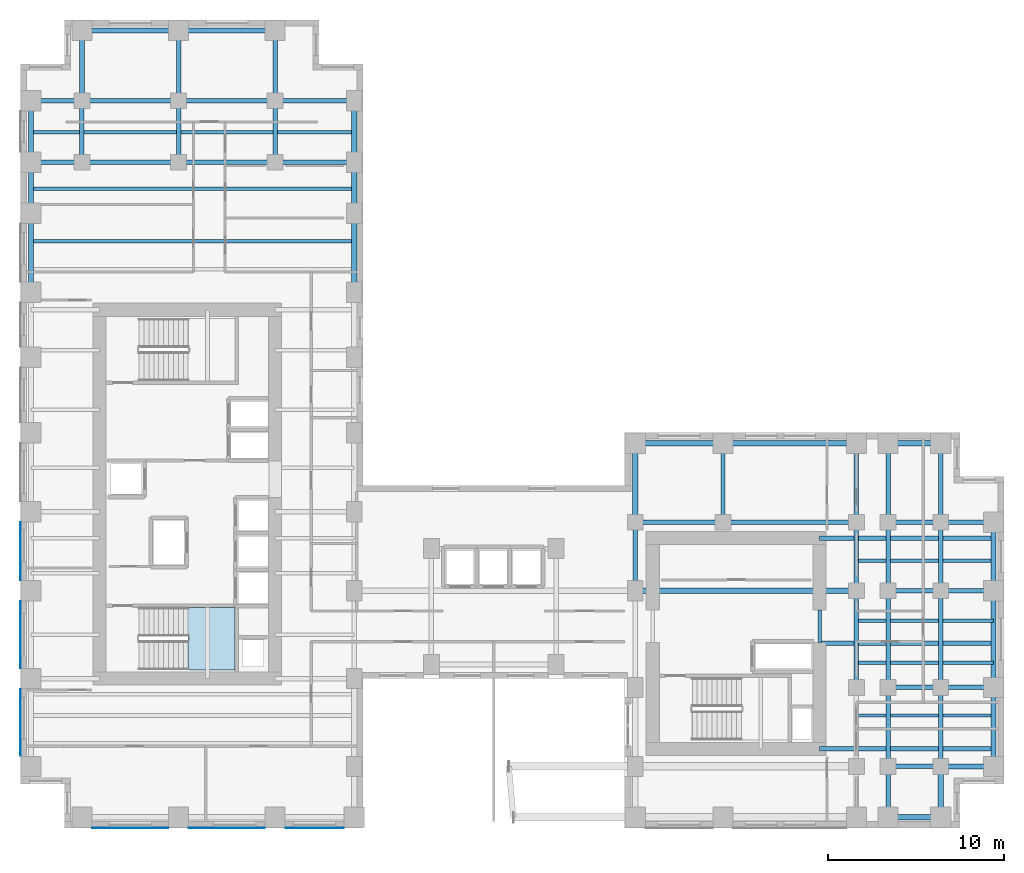
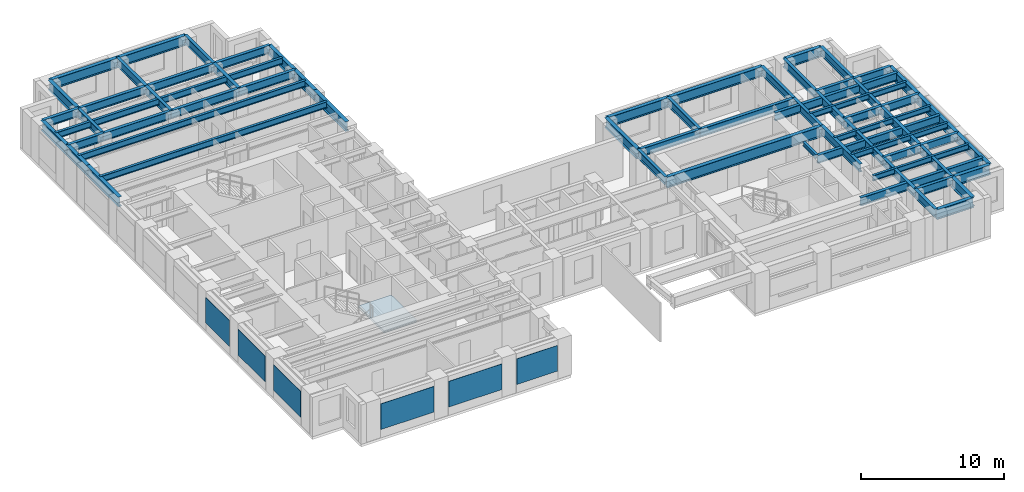
# One storey, part 4 of 14: 67 beams, 6 plates, 1 slab, 1 element without a shape of its own.
"""IFC4 building model written with IfcOpenShell, lengths in metres."""

from ifc_helpers import new_model, si_unit, direction, frame, origin, origin_2d, place, context, subcontext, project, spatial, polyline, rectangle, i_section, outline, extrude, source, transform, mapped, material, layer, layer_set, material_profile, profile_set, type_object, element, aggregate, save


model = new_model("IFC4")

# Units and contexts
model_context = context("Model", 3, precision=1e-05, world=origin(), true_north=direction((0.0, 1.0)))
body_context = subcontext(model_context, "Body", "Model", "MODEL_VIEW")
ifc_project = project(units=[si_unit("LENGTHUNIT", "METRE"), si_unit("AREAUNIT", "SQUARE_METRE"), si_unit("VOLUMEUNIT", "CUBIC_METRE"), si_unit("PLANEANGLEUNIT", "RADIAN"), si_unit("MASSUNIT", "GRAM", prefix="KILO")], contexts=[model_context])

# Site, building, storey
site_placement = place(None, origin())
site = spatial("IfcSite", under=ifc_project, at=site_placement, CompositionType="ELEMENT")
building_placement = place(site_placement, origin())
building = spatial("IfcBuilding", under=site, at=building_placement, Name="Kharzan Plaza Tower", CompositionType="ELEMENT")
storey_placement = place(building_placement, frame((0.0, 0.0, 102.60009765625)))
storey = spatial("IfcBuildingStorey", under=building, at=storey_placement, Name="L27", CompositionType="ELEMENT", Elevation=102.60009765625)

# Beams
ifc_material_1 = material(Name="Steel S355", Category="steel")
ifc_material_profile_1 = material_profile(ifc_material_1, i_section(OverallWidth=0.205078125, OverallDepth=0.35400390625, WebThickness=0.009521484375, FlangeThickness=0.016845703125, at=origin_2d()), Name="W360x79")
ifc_profile_set_1 = profile_set([ifc_material_profile_1], Name="Steel S355")
beam_type_1 = type_object("IfcBeamType", Name="BM-LNT360", PredefinedType="LINTEL", material=ifc_profile_set_1)
shared_shape_1 = source(origin(), body_context, "Body", "SweptSolid", [
    extrude(i_section(OverallWidth=0.205078125, OverallDepth=0.35400390625, WebThickness=0.009521484375, FlangeThickness=0.016845703125, at=origin_2d()), origin(), (0.0, 0.0, 1.0), 1.849853515625),
])
beam_1_placement = place(storey_placement, frame((45.5, 10.550048828125, 3.202880859375), z_axis=(0.0, 1.0, 0.0), x_axis=(-1.0, 0.0, 0.0)))
element("IfcBeam", 1, at=beam_1_placement, inside=storey, type_object=beam_type_1, Name="L27 CORE-B coupling lintel LN1-WE", PredefinedType="LINTEL", context=body_context, shape_type="MappedRepresentation", body=[
    mapped(shared_shape_1, transform((0.0, 0.0, 0.0), x_axis=(1.0, 0.0, 0.0), y_axis=(0.0, 1.0, 0.0), z_axis=(0.0, 0.0, 1.0))),
])
ifc_material_profile_2 = material_profile(ifc_material_1, i_section(OverallWidth=0.304931640625, OverallDepth=0.9189453125, WebThickness=0.017333984375, FlangeThickness=0.02783203125, at=origin_2d()), Name="W920x253")
ifc_profile_set_2 = profile_set([ifc_material_profile_2], Name="Steel S355")
beam_type_2 = type_object("IfcBeamType", Name="BM-FG920B", PredefinedType="BEAM", material=ifc_profile_set_2)
shared_shape_2 = source(origin(), body_context, "Body", "SweptSolid", [
    extrude(i_section(OverallWidth=0.304931640625, OverallDepth=0.9189453125, WebThickness=0.017333984375, FlangeThickness=0.02783203125, at=origin_2d()), origin(), (0.0, 0.0, 1.0), 12.60009765625),
])
beam_2_placement = place(storey_placement, frame((35.0, 13.5, 2.92041015625), z_axis=(1.0, 0.0, 0.0), x_axis=(0.0, 1.0, 0.0)))
element("IfcBeam", 2, at=beam_2_placement, inside=storey, type_object=beam_type_2, Name="L27 Primary Floor Girder", PredefinedType="BEAM", context=body_context, shape_type="MappedRepresentation", body=[
    mapped(shared_shape_2, transform((0.0, 0.0, 0.0), x_axis=(1.0, 0.0, 0.0), y_axis=(0.0, 1.0, 0.0), z_axis=(0.0, 0.0, 1.0))),
])
ifc_material_profile_3 = material_profile(ifc_material_1, i_section(OverallWidth=0.2099609375, OverallDepth=0.537109375, WebThickness=0.010986328125, FlangeThickness=0.017333984375, at=origin_2d()), Name="W530x101")
ifc_profile_set_3 = profile_set([ifc_material_profile_3], Name="Steel S355")
beam_type_3 = type_object("IfcBeamType", Name="BM-JST530B", PredefinedType="JOIST", material=ifc_profile_set_3)
shared_shape_3 = source(origin(), body_context, "Body", "SweptSolid", [
    extrude(i_section(OverallWidth=0.2099609375, OverallDepth=0.537109375, WebThickness=0.010986328125, FlangeThickness=0.017333984375, at=origin_2d()), origin(), (0.0, 0.0, 1.0), 18.39990234375),
])
for number, where, z_axis, x_axis, name in (
    (3, (0.60009765625, 33.39990234375, 3.111328125), (1.0, 0.0, 0.0), (0.0, 1.0, 0.0), "L27 Wing A Composite Joist 05"),
    (4, (0.60009765625, 36.39990234375, 3.111328125), (1.0, 0.0, 0.0), (0.0, 1.0, 0.0), "L27 Wing A Composite Joist 06"),
    (5, (0.60009765625, 39.60009765625, 3.111328125), (1.0, 0.0, 0.0), (0.0, 1.0, 0.0), "L27 Wing A Composite Joist 07"),
):
    element("IfcBeam", number, at=place(storey_placement, frame(where, z_axis=z_axis, x_axis=x_axis)), inside=storey, type_object=beam_type_3, Name=name, PredefinedType="JOIST", context=body_context, shape_type="MappedRepresentation", body=[
        mapped(shared_shape_3, transform((0.0, 0.0, 0.0), x_axis=(1.0, 0.0, 0.0), y_axis=(0.0, 1.0, 0.0), z_axis=(0.0, 0.0, 1.0))),
    ])
ifc_material_profile_4 = material_profile(ifc_material_1, i_section(OverallWidth=0.25390625, OverallDepth=0.68798828125, WebThickness=0.01318359375, FlangeThickness=0.02099609375, at=origin_2d()), Name="W690x152")
ifc_profile_set_4 = profile_set([ifc_material_profile_4], Name="Steel S355")
beam_type_4 = type_object("IfcBeamType", Name="BM-FG690B", PredefinedType="BEAM", material=ifc_profile_set_4)
shared_shape_4 = source(origin(), body_context, "Body", "SweptSolid", [
    extrude(i_section(OverallWidth=0.25390625, OverallDepth=0.68798828125, WebThickness=0.01318359375, FlangeThickness=0.02099609375, at=origin_2d()), origin(), (0.0, 0.0, 1.0), 4.5),
])
for number, where, z_axis, x_axis, name in (
    (6, (40.0, 17.39990234375, 3.035888671875), (0.0, 1.0, 0.0), (-1.0, 0.0, 0.0), "L27 Interior Frame Girder"),
    (7, (47.60009765625, 17.39990234375, 3.035888671875), (0.0, 1.0, 0.0), (-1.0, 0.0, 0.0), "L27 Interior Frame Girder"),
    (8, (49.39990234375, 3.5, 3.035888671875), (0.0, 1.0, 0.0), (-1.0, 0.0, 0.0), "L27 Interior Frame Girder"),
    (9, (49.39990234375, 17.39990234375, 3.035888671875), (0.0, 1.0, 0.0), (-1.0, 0.0, 0.0), "L27 Interior Frame Girder"),
    (10, (52.39990234375, 3.5, 3.035888671875), (0.0, 1.0, 0.0), (-1.0, 0.0, 0.0), "L27 Interior Frame Girder"),
    (11, (52.39990234375, 17.39990234375, 3.035888671875), (0.0, 1.0, 0.0), (-1.0, 0.0, 0.0), "L27 Interior Frame Girder"),
    (12, (14.5, 37.89990234375, 3.035888671875), (1.0, 0.0, 0.0), (0.0, 1.0, 0.0), "L27 Primary Floor Girder"),
    (13, (14.5, 41.39990234375, 3.035888671875), (1.0, 0.0, 0.0), (0.0, 1.0, 0.0), "L27 Primary Floor Girder"),
):
    element("IfcBeam", number, at=place(storey_placement, frame(where, z_axis=z_axis, x_axis=x_axis)), inside=storey, type_object=beam_type_4, Name=name, PredefinedType="BEAM", context=body_context, shape_type="MappedRepresentation", body=[
        mapped(shared_shape_4, transform((0.0, 0.0, 0.0), x_axis=(1.0, 0.0, 0.0), y_axis=(0.0, 1.0, 0.0), z_axis=(0.0, 0.0, 1.0))),
    ])
shared_shape_5 = source(origin(), body_context, "Body", "SweptSolid", [
    extrude(i_section(OverallWidth=0.25390625, OverallDepth=0.68798828125, WebThickness=0.01318359375, FlangeThickness=0.02099609375, at=origin_2d()), origin(), (0.0, 0.0, 1.0), 3.89990234375),
])
for number, where, z_axis, x_axis, name in (
    (14, (35.0, 13.5, 3.035888671875), (0.0, 1.0, 0.0), (-1.0, 0.0, 0.0), "L27 Interior Frame Girder"),
    (15, (47.60009765625, 13.5, 3.035888671875), (0.0, 1.0, 0.0), (-1.0, 0.0, 0.0), "L27 Interior Frame Girder"),
    (16, (49.39990234375, 13.5, 3.035888671875), (0.0, 1.0, 0.0), (-1.0, 0.0, 0.0), "L27 Interior Frame Girder"),
    (17, (52.39990234375, 13.5, 3.035888671875), (0.0, 1.0, 0.0), (-1.0, 0.0, 0.0), "L27 Interior Frame Girder"),
):
    element("IfcBeam", number, at=place(storey_placement, frame(where, z_axis=z_axis, x_axis=x_axis)), inside=storey, type_object=beam_type_4, Name=name, PredefinedType="BEAM", context=body_context, shape_type="MappedRepresentation", body=[
        mapped(shared_shape_5, transform((0.0, 0.0, 0.0), x_axis=(1.0, 0.0, 0.0), y_axis=(0.0, 1.0, 0.0), z_axis=(0.0, 0.0, 1.0))),
    ])
shared_shape_6 = source(origin(), body_context, "Body", "SweptSolid", [
    extrude(i_section(OverallWidth=0.25390625, OverallDepth=0.68798828125, WebThickness=0.01318359375, FlangeThickness=0.02099609375, at=origin_2d()), origin(), (0.0, 0.0, 1.0), 9.89990234375),
])
for number, where, z_axis, x_axis, name in (
    (18, (45.5, 4.5, 3.035888671875), (1.0, 0.0, 0.0), (0.0, 1.0, 0.0), "L27 Core-B East Floor Girder 1"),
    (19, (45.5, 10.5, 3.035888671875), (1.0, 0.0, 0.0), (0.0, 1.0, 0.0), "L27 Core-B East Floor Girder 2"),
    (20, (45.5, 16.5, 3.035888671875), (1.0, 0.0, 0.0), (0.0, 1.0, 0.0), "L27 Core-B East Floor Girder 3"),
):
    element("IfcBeam", number, at=place(storey_placement, frame(where, z_axis=z_axis, x_axis=x_axis)), inside=storey, type_object=beam_type_4, Name=name, PredefinedType="BEAM", context=body_context, shape_type="MappedRepresentation", body=[
        mapped(shared_shape_6, transform((0.0, 0.0, 0.0), x_axis=(1.0, 0.0, 0.0), y_axis=(0.0, 1.0, 0.0), z_axis=(0.0, 0.0, 1.0))),
    ])
shared_shape_7 = source(origin(), body_context, "Body", "SweptSolid", [
    extrude(i_section(OverallWidth=0.25390625, OverallDepth=0.68798828125, WebThickness=0.01318359375, FlangeThickness=0.02099609375, at=origin_2d()), origin(), (0.0, 0.0, 1.0), 3.5),
])
for number, where, z_axis, x_axis, name in (
    (21, (3.5, 37.89990234375, 3.035888671875), (0.0, 1.0, 0.0), (-1.0, 0.0, 0.0), "L27 Interior Frame Girder"),
    (22, (9.0, 37.89990234375, 3.035888671875), (0.0, 1.0, 0.0), (-1.0, 0.0, 0.0), "L27 Interior Frame Girder"),
    (23, (14.5, 37.89990234375, 3.035888671875), (0.0, 1.0, 0.0), (-1.0, 0.0, 0.0), "L27 Interior Frame Girder"),
):
    element("IfcBeam", number, at=place(storey_placement, frame(where, z_axis=z_axis, x_axis=x_axis)), inside=storey, type_object=beam_type_4, Name=name, PredefinedType="BEAM", context=body_context, shape_type="MappedRepresentation", body=[
        mapped(shared_shape_7, transform((0.0, 0.0, 0.0), x_axis=(1.0, 0.0, 0.0), y_axis=(0.0, 1.0, 0.0), z_axis=(0.0, 0.0, 1.0))),
    ])
shared_shape_8 = source(origin(), body_context, "Body", "SweptSolid", [
    extrude(i_section(OverallWidth=0.25390625, OverallDepth=0.68798828125, WebThickness=0.01318359375, FlangeThickness=0.02099609375, at=origin_2d()), origin(), (0.0, 0.0, 1.0), 4.0),
])
for number, where, z_axis, x_axis, name in (
    (24, (9.0, 41.39990234375, 3.035888671875), (0.0, 1.0, 0.0), (-1.0, 0.0, 0.0), "L27 Interior Frame Girder"),
    (25, (14.5, 41.39990234375, 3.035888671875), (0.0, 1.0, 0.0), (-1.0, 0.0, 0.0), "L27 Interior Frame Girder"),
):
    element("IfcBeam", number, at=place(storey_placement, frame(where, z_axis=z_axis, x_axis=x_axis)), inside=storey, type_object=beam_type_4, Name=name, PredefinedType="BEAM", context=body_context, shape_type="MappedRepresentation", body=[
        mapped(shared_shape_8, transform((0.0, 0.0, 0.0), x_axis=(1.0, 0.0, 0.0), y_axis=(0.0, 1.0, 0.0), z_axis=(0.0, 0.0, 1.0))),
    ])
shared_shape_9 = source(origin(), body_context, "Body", "SweptSolid", [
    extrude(i_section(OverallWidth=0.25390625, OverallDepth=0.68798828125, WebThickness=0.01318359375, FlangeThickness=0.02099609375, at=origin_2d()), origin(), (0.0, 0.0, 1.0), 5.0),
])
beam_3_placement = place(storey_placement, frame((35.0, 17.39990234375, 3.035888671875), z_axis=(1.0, 0.0, 0.0), x_axis=(0.0, 1.0, 0.0)))
element("IfcBeam", 26, at=beam_3_placement, inside=storey, type_object=beam_type_4, Name="L27 Primary Floor Girder", PredefinedType="BEAM", context=body_context, shape_type="MappedRepresentation", body=[
    mapped(shared_shape_9, transform((0.0, 0.0, 0.0), x_axis=(1.0, 0.0, 0.0), y_axis=(0.0, 1.0, 0.0), z_axis=(0.0, 0.0, 1.0))),
])
shared_shape_10 = source(origin(), body_context, "Body", "SweptSolid", [
    extrude(i_section(OverallWidth=0.25390625, OverallDepth=0.68798828125, WebThickness=0.01318359375, FlangeThickness=0.02099609375, at=origin_2d()), origin(), (0.0, 0.0, 1.0), 5.5),
])
for number, where, z_axis, x_axis, name in (
    (27, (47.60009765625, 8.0, 3.035888671875), (0.0, 1.0, 0.0), (-1.0, 0.0, 0.0), "L27 Interior Frame Girder"),
    (28, (49.39990234375, 8.0, 3.035888671875), (0.0, 1.0, 0.0), (-1.0, 0.0, 0.0), "L27 Interior Frame Girder"),
    (29, (52.39990234375, 8.0, 3.035888671875), (0.0, 1.0, 0.0), (-1.0, 0.0, 0.0), "L27 Interior Frame Girder"),
    (30, (3.5, 37.89990234375, 3.035888671875), (1.0, 0.0, 0.0), (0.0, 1.0, 0.0), "L27 Primary Floor Girder"),
    (31, (9.0, 37.89990234375, 3.035888671875), (1.0, 0.0, 0.0), (0.0, 1.0, 0.0), "L27 Primary Floor Girder"),
    (32, (3.5, 41.39990234375, 3.035888671875), (1.0, 0.0, 0.0), (0.0, 1.0, 0.0), "L27 Primary Floor Girder"),
    (33, (9.0, 41.39990234375, 3.035888671875), (1.0, 0.0, 0.0), (0.0, 1.0, 0.0), "L27 Primary Floor Girder"),
):
    element("IfcBeam", number, at=place(storey_placement, frame(where, z_axis=z_axis, x_axis=x_axis)), inside=storey, type_object=beam_type_4, Name=name, PredefinedType="BEAM", context=body_context, shape_type="MappedRepresentation", body=[
        mapped(shared_shape_10, transform((0.0, 0.0, 0.0), x_axis=(1.0, 0.0, 0.0), y_axis=(0.0, 1.0, 0.0), z_axis=(0.0, 0.0, 1.0))),
    ])
shared_shape_11 = source(origin(), body_context, "Body", "SweptSolid", [
    extrude(i_section(OverallWidth=0.25390625, OverallDepth=0.68798828125, WebThickness=0.01318359375, FlangeThickness=0.02099609375, at=origin_2d()), origin(), (0.0, 0.0, 1.0), 2.89990234375),
])
for number, where, z_axis, x_axis, name in (
    (34, (49.39990234375, 0.60009765625, 3.035888671875), (0.0, 1.0, 0.0), (-1.0, 0.0, 0.0), "L27 Interior Frame Girder"),
    (35, (0.60009765625, 37.89990234375, 3.035888671875), (1.0, 0.0, 0.0), (0.0, 1.0, 0.0), "L27 Primary Floor Girder"),
    (36, (0.60009765625, 41.39990234375, 3.035888671875), (1.0, 0.0, 0.0), (0.0, 1.0, 0.0), "L27 Primary Floor Girder"),
):
    element("IfcBeam", number, at=place(storey_placement, frame(where, z_axis=z_axis, x_axis=x_axis)), inside=storey, type_object=beam_type_4, Name=name, PredefinedType="BEAM", context=body_context, shape_type="MappedRepresentation", body=[
        mapped(shared_shape_11, transform((0.0, 0.0, 0.0), x_axis=(1.0, 0.0, 0.0), y_axis=(0.0, 1.0, 0.0), z_axis=(0.0, 0.0, 1.0))),
    ])
shared_shape_12 = source(origin(), body_context, "Body", "SweptSolid", [
    extrude(i_section(OverallWidth=0.25390625, OverallDepth=0.68798828125, WebThickness=0.01318359375, FlangeThickness=0.02099609375, at=origin_2d()), origin(), (0.0, 0.0, 1.0), 3.0),
])
for number, where, z_axis, x_axis, name in (
    (37, (49.39990234375, 3.5, 3.035888671875), (1.0, 0.0, 0.0), (0.0, 1.0, 0.0), "L27 Primary Floor Girder"),
    (38, (49.39990234375, 8.0, 3.035888671875), (1.0, 0.0, 0.0), (0.0, 1.0, 0.0), "L27 Primary Floor Girder"),
    (39, (52.39990234375, 8.0, 3.035888671875), (1.0, 0.0, 0.0), (0.0, 1.0, 0.0), "L27 Primary Floor Girder"),
    (40, (49.39990234375, 13.5, 3.035888671875), (1.0, 0.0, 0.0), (0.0, 1.0, 0.0), "L27 Primary Floor Girder"),
    (41, (52.39990234375, 13.5, 3.035888671875), (1.0, 0.0, 0.0), (0.0, 1.0, 0.0), "L27 Primary Floor Girder"),
    (42, (49.39990234375, 17.39990234375, 3.035888671875), (1.0, 0.0, 0.0), (0.0, 1.0, 0.0), "L27 Primary Floor Girder"),
    (43, (52.39990234375, 17.39990234375, 3.035888671875), (1.0, 0.0, 0.0), (0.0, 1.0, 0.0), "L27 Primary Floor Girder"),
):
    element("IfcBeam", number, at=place(storey_placement, frame(where, z_axis=z_axis, x_axis=x_axis)), inside=storey, type_object=beam_type_4, Name=name, PredefinedType="BEAM", context=body_context, shape_type="MappedRepresentation", body=[
        mapped(shared_shape_12, transform((0.0, 0.0, 0.0), x_axis=(1.0, 0.0, 0.0), y_axis=(0.0, 1.0, 0.0), z_axis=(0.0, 0.0, 1.0))),
    ])
shared_shape_13 = source(origin(), body_context, "Body", "SweptSolid", [
    extrude(i_section(OverallWidth=0.25390625, OverallDepth=0.68798828125, WebThickness=0.01318359375, FlangeThickness=0.02099609375, at=origin_2d()), origin(), (0.0, 0.0, 1.0), 7.60009765625),
])
beam_4_placement = place(storey_placement, frame((40.0, 17.39990234375, 3.035888671875), z_axis=(1.0, 0.0, 0.0), x_axis=(0.0, 1.0, 0.0)))
element("IfcBeam", 44, at=beam_4_placement, inside=storey, type_object=beam_type_4, Name="L27 Primary Floor Girder", PredefinedType="BEAM", context=body_context, shape_type="MappedRepresentation", body=[
    mapped(shared_shape_13, transform((0.0, 0.0, 0.0), x_axis=(1.0, 0.0, 0.0), y_axis=(0.0, 1.0, 0.0), z_axis=(0.0, 0.0, 1.0))),
])
ifc_material_profile_5 = material_profile(ifc_material_1, i_section(OverallWidth=0.194091796875, OverallDepth=0.468994140625, WebThickness=0.011474609375, FlangeThickness=0.0205078125, at=origin_2d()), Name="W460x106")
ifc_profile_set_5 = profile_set([ifc_material_profile_5], Name="Steel S355")
beam_type_5 = type_object("IfcBeamType", Name="BM-JST460", PredefinedType="JOIST", material=ifc_profile_set_5)
shared_shape_14 = source(origin(), body_context, "Body", "SweptSolid", [
    extrude(i_section(OverallWidth=0.194091796875, OverallDepth=0.468994140625, WebThickness=0.011474609375, FlangeThickness=0.0205078125, at=origin_2d()), origin(), (0.0, 0.0, 1.0), 7.7998046875),
])
for number, where, z_axis, x_axis, name in (
    (45, (47.60009765625, 6.39990234375, 3.1455078125), (1.0, 0.0, 0.0), (0.0, 1.0, 0.0), "L27 Wing B Composite Joist 02"),
    (46, (47.60009765625, 9.39990234375, 3.1455078125), (1.0, 0.0, 0.0), (0.0, 1.0, 0.0), "L27 Wing B Composite Joist 03"),
    (47, (47.60009765625, 11.800048828125, 3.1455078125), (1.0, 0.0, 0.0), (0.0, 1.0, 0.0), "L27 Wing B Composite Joist 04"),
    (48, (47.60009765625, 15.199951171875, 3.1455078125), (1.0, 0.0, 0.0), (0.0, 1.0, 0.0), "L27 Wing B Composite Joist 05"),
):
    element("IfcBeam", number, at=place(storey_placement, frame(where, z_axis=z_axis, x_axis=x_axis)), inside=storey, type_object=beam_type_5, Name=name, PredefinedType="JOIST", context=body_context, shape_type="MappedRepresentation", body=[
        mapped(shared_shape_14, transform((0.0, 0.0, 0.0), x_axis=(1.0, 0.0, 0.0), y_axis=(0.0, 1.0, 0.0), z_axis=(0.0, 0.0, 1.0))),
    ])
ifc_material_profile_6 = material_profile(ifc_material_1, i_section(OverallWidth=0.299072265625, OverallDepth=0.845947265625, WebThickness=0.015380859375, FlangeThickness=0.0244140625, at=origin_2d()), Name="W840x210")
ifc_profile_set_6 = profile_set([ifc_material_profile_6], Name="Steel S355")
beam_type_6 = type_object("IfcBeamType", Name="BM-SP840B", PredefinedType="SPANDREL", material=ifc_profile_set_6)
shared_shape_15 = source(origin(), body_context, "Body", "SweptSolid", [
    extrude(i_section(OverallWidth=0.299072265625, OverallDepth=0.845947265625, WebThickness=0.015380859375, FlangeThickness=0.0244140625, at=origin_2d()), origin(), (0.0, 0.0, 1.0), 5.0),
])
beam_5_placement = place(storey_placement, frame((35.0, 21.89990234375, 2.956787109375), z_axis=(1.0, 0.0, 0.0), x_axis=(0.0, 1.0, 0.0)))
element("IfcBeam", 49, at=beam_5_placement, inside=storey, type_object=beam_type_6, Name="L27 Perimeter Tube Spandrel", PredefinedType="SPANDREL", context=body_context, shape_type="MappedRepresentation", body=[
    mapped(shared_shape_15, transform((0.0, 0.0, 0.0), x_axis=(1.0, 0.0, 0.0), y_axis=(0.0, 1.0, 0.0), z_axis=(0.0, 0.0, 1.0))),
])
shared_shape_16 = source(origin(), body_context, "Body", "SweptSolid", [
    extrude(i_section(OverallWidth=0.299072265625, OverallDepth=0.845947265625, WebThickness=0.015380859375, FlangeThickness=0.0244140625, at=origin_2d()), origin(), (0.0, 0.0, 1.0), 4.5),
])
for number, where, z_axis, x_axis, name in (
    (50, (0.60009765625, 30.5, 2.956787109375), (0.0, 1.0, 0.0), (-1.0, 0.0, 0.0), "L27 Perimeter Tube Spandrel"),
    (51, (19.0, 30.5, 2.956787109375), (0.0, 1.0, 0.0), (-1.0, 0.0, 0.0), "L27 Perimeter Tube Spandrel"),
    (52, (35.0, 17.39990234375, 2.956787109375), (0.0, 1.0, 0.0), (-1.0, 0.0, 0.0), "L27 Perimeter Tube Spandrel"),
    (53, (55.39990234375, 3.5, 2.956787109375), (0.0, 1.0, 0.0), (-1.0, 0.0, 0.0), "L27 Perimeter Tube Spandrel"),
):
    element("IfcBeam", number, at=place(storey_placement, frame(where, z_axis=z_axis, x_axis=x_axis)), inside=storey, type_object=beam_type_6, Name=name, PredefinedType="SPANDREL", context=body_context, shape_type="MappedRepresentation", body=[
        mapped(shared_shape_16, transform((0.0, 0.0, 0.0), x_axis=(1.0, 0.0, 0.0), y_axis=(0.0, 1.0, 0.0), z_axis=(0.0, 0.0, 1.0))),
    ])
shared_shape_17 = source(origin(), body_context, "Body", "SweptSolid", [
    extrude(i_section(OverallWidth=0.299072265625, OverallDepth=0.845947265625, WebThickness=0.015380859375, FlangeThickness=0.0244140625, at=origin_2d()), origin(), (0.0, 0.0, 1.0), 2.89990234375),
])
for number, where, z_axis, x_axis, name in (
    (54, (0.60009765625, 35.0, 2.956787109375), (0.0, 1.0, 0.0), (-1.0, 0.0, 0.0), "L27 Perimeter Tube Spandrel"),
    (55, (19.0, 35.0, 2.956787109375), (0.0, 1.0, 0.0), (-1.0, 0.0, 0.0), "L27 Perimeter Tube Spandrel"),
    (56, (52.39990234375, 0.60009765625, 2.956787109375), (0.0, 1.0, 0.0), (-1.0, 0.0, 0.0), "L27 Perimeter Tube Spandrel"),
):
    element("IfcBeam", number, at=place(storey_placement, frame(where, z_axis=z_axis, x_axis=x_axis)), inside=storey, type_object=beam_type_6, Name=name, PredefinedType="SPANDREL", context=body_context, shape_type="MappedRepresentation", body=[
        mapped(shared_shape_17, transform((0.0, 0.0, 0.0), x_axis=(1.0, 0.0, 0.0), y_axis=(0.0, 1.0, 0.0), z_axis=(0.0, 0.0, 1.0))),
    ])
shared_shape_18 = source(origin(), body_context, "Body", "SweptSolid", [
    extrude(i_section(OverallWidth=0.299072265625, OverallDepth=0.845947265625, WebThickness=0.015380859375, FlangeThickness=0.0244140625, at=origin_2d()), origin(), (0.0, 0.0, 1.0), 3.5),
])
for number, where, z_axis, x_axis, name in (
    (57, (0.60009765625, 37.89990234375, 2.956787109375), (0.0, 1.0, 0.0), (-1.0, 0.0, 0.0), "L27 Perimeter Tube Spandrel"),
    (58, (19.0, 37.89990234375, 2.956787109375), (0.0, 1.0, 0.0), (-1.0, 0.0, 0.0), "L27 Perimeter Tube Spandrel"),
):
    element("IfcBeam", number, at=place(storey_placement, frame(where, z_axis=z_axis, x_axis=x_axis)), inside=storey, type_object=beam_type_6, Name=name, PredefinedType="SPANDREL", context=body_context, shape_type="MappedRepresentation", body=[
        mapped(shared_shape_18, transform((0.0, 0.0, 0.0), x_axis=(1.0, 0.0, 0.0), y_axis=(0.0, 1.0, 0.0), z_axis=(0.0, 0.0, 1.0))),
    ])
shared_shape_19 = source(origin(), body_context, "Body", "SweptSolid", [
    extrude(i_section(OverallWidth=0.299072265625, OverallDepth=0.845947265625, WebThickness=0.015380859375, FlangeThickness=0.0244140625, at=origin_2d()), origin(), (0.0, 0.0, 1.0), 4.0),
])
beam_6_placement = place(storey_placement, frame((3.5, 41.39990234375, 2.956787109375), z_axis=(0.0, 1.0, 0.0), x_axis=(-1.0, 0.0, 0.0)))
element("IfcBeam", 59, at=beam_6_placement, inside=storey, type_object=beam_type_6, Name="L27 Perimeter Tube Spandrel", PredefinedType="SPANDREL", context=body_context, shape_type="MappedRepresentation", body=[
    mapped(shared_shape_19, transform((0.0, 0.0, 0.0), x_axis=(1.0, 0.0, 0.0), y_axis=(0.0, 1.0, 0.0), z_axis=(0.0, 0.0, 1.0))),
])
shared_shape_20 = source(origin(), body_context, "Body", "SweptSolid", [
    extrude(i_section(OverallWidth=0.299072265625, OverallDepth=0.845947265625, WebThickness=0.015380859375, FlangeThickness=0.0244140625, at=origin_2d()), origin(), (0.0, 0.0, 1.0), 5.5),
])
for number, where, z_axis, x_axis, name in (
    (60, (55.39990234375, 8.0, 2.956787109375), (0.0, 1.0, 0.0), (-1.0, 0.0, 0.0), "L27 Perimeter Tube Spandrel"),
    (61, (3.5, 45.39990234375, 2.956787109375), (1.0, 0.0, 0.0), (0.0, 1.0, 0.0), "L27 Perimeter Tube Spandrel"),
    (62, (9.0, 45.39990234375, 2.956787109375), (1.0, 0.0, 0.0), (0.0, 1.0, 0.0), "L27 Perimeter Tube Spandrel"),
):
    element("IfcBeam", number, at=place(storey_placement, frame(where, z_axis=z_axis, x_axis=x_axis)), inside=storey, type_object=beam_type_6, Name=name, PredefinedType="SPANDREL", context=body_context, shape_type="MappedRepresentation", body=[
        mapped(shared_shape_20, transform((0.0, 0.0, 0.0), x_axis=(1.0, 0.0, 0.0), y_axis=(0.0, 1.0, 0.0), z_axis=(0.0, 0.0, 1.0))),
    ])
shared_shape_21 = source(origin(), body_context, "Body", "SweptSolid", [
    extrude(i_section(OverallWidth=0.299072265625, OverallDepth=0.845947265625, WebThickness=0.015380859375, FlangeThickness=0.0244140625, at=origin_2d()), origin(), (0.0, 0.0, 1.0), 3.89990234375),
])
beam_7_placement = place(storey_placement, frame((55.39990234375, 13.5, 2.956787109375), z_axis=(0.0, 1.0, 0.0), x_axis=(-1.0, 0.0, 0.0)))
element("IfcBeam", 63, at=beam_7_placement, inside=storey, type_object=beam_type_6, Name="L27 Perimeter Tube Spandrel", PredefinedType="SPANDREL", context=body_context, shape_type="MappedRepresentation", body=[
    mapped(shared_shape_21, transform((0.0, 0.0, 0.0), x_axis=(1.0, 0.0, 0.0), y_axis=(0.0, 1.0, 0.0), z_axis=(0.0, 0.0, 1.0))),
])
shared_shape_22 = source(origin(), body_context, "Body", "SweptSolid", [
    extrude(i_section(OverallWidth=0.299072265625, OverallDepth=0.845947265625, WebThickness=0.015380859375, FlangeThickness=0.0244140625, at=origin_2d()), origin(), (0.0, 0.0, 1.0), 7.60009765625),
])
beam_8_placement = place(storey_placement, frame((40.0, 21.89990234375, 2.956787109375), z_axis=(1.0, 0.0, 0.0), x_axis=(0.0, 1.0, 0.0)))
element("IfcBeam", 64, at=beam_8_placement, inside=storey, type_object=beam_type_6, Name="L27 Perimeter Tube Spandrel", PredefinedType="SPANDREL", context=body_context, shape_type="MappedRepresentation", body=[
    mapped(shared_shape_22, transform((0.0, 0.0, 0.0), x_axis=(1.0, 0.0, 0.0), y_axis=(0.0, 1.0, 0.0), z_axis=(0.0, 0.0, 1.0))),
])
shared_shape_23 = source(origin(), body_context, "Body", "SweptSolid", [
    extrude(i_section(OverallWidth=0.299072265625, OverallDepth=0.845947265625, WebThickness=0.015380859375, FlangeThickness=0.0244140625, at=origin_2d()), origin(), (0.0, 0.0, 1.0), 3.0),
])
for number, where, z_axis, x_axis, name in (
    (65, (49.39990234375, 0.60009765625, 2.956787109375), (1.0, 0.0, 0.0), (0.0, 1.0, 0.0), "L27 Perimeter Tube Spandrel"),
    (66, (52.39990234375, 3.5, 2.956787109375), (1.0, 0.0, 0.0), (0.0, 1.0, 0.0), "L27 Perimeter Tube Spandrel"),
    (67, (49.39990234375, 21.89990234375, 2.956787109375), (1.0, 0.0, 0.0), (0.0, 1.0, 0.0), "L27 Perimeter Tube Spandrel"),
):
    element("IfcBeam", number, at=place(storey_placement, frame(where, z_axis=z_axis, x_axis=x_axis)), inside=storey, type_object=beam_type_6, Name=name, PredefinedType="SPANDREL", context=body_context, shape_type="MappedRepresentation", body=[
        mapped(shared_shape_23, transform((0.0, 0.0, 0.0), x_axis=(1.0, 0.0, 0.0), y_axis=(0.0, 1.0, 0.0), z_axis=(0.0, 0.0, 1.0))),
    ])

# Stair, slab
ifc_material_2 = material(Name="Concrete C40/50", Category="concrete")
stair_type = type_object("IfcStairType", Name="STR-ST-1", PredefinedType="HALF_TURN_STAIR", material=ifc_material_2)
stair_placement = place(storey_placement, origin())
stair = element("IfcStair", 68, at=stair_placement, inside=storey, type_object=stair_type, Name="L27 Protected Exit Stair ST-1", PredefinedType="HALF_TURN_STAIR")
ifc_layer_1 = layer(ifc_material_2, 0.219970703125)
ifc_layer_set_1 = layer_set([ifc_layer_1], Name="Concrete C40/50")
slab_type = type_object("IfcSlabType", Name="SL-LANDING-220", PredefinedType="LANDING", material=ifc_layer_set_1)
slab_placement = place(storey_placement, frame((0.0, 0.0, 1.599853515625)))
slab = element("IfcSlab", 69, at=slab_placement, type_object=slab_type, Name="ST-1 landing 1", PredefinedType="LANDING", context=body_context, shape_type="SweptSolid", body=[
    extrude(outline(polyline([(9.550048828125, 9.0), (12.199951171875, 9.0), (12.199951171875, 12.550048828125), (9.550048828125, 12.550048828125), (9.550048828125, 9.0)])), origin(), (0.0, 0.0, 1.0), 0.199951171875),
])
aggregate(stair, [slab])

# Plates
ifc_material_3 = material(Name="Perforated Bronze-Anodized Aluminium", Category="aluminium")
ifc_layer_2 = layer(ifc_material_3, 0.030029296875)
ifc_layer_set_2 = layer_set([ifc_layer_2], Name="Perforated Bronze-Anodized Aluminium")
plate_type = type_object("IfcPlateType", Name="PLT-MASH-SCREEN", PredefinedType="SHEET", material=ifc_layer_set_2)
shared_shape_24 = source(origin(), body_context, "Body", "SweptSolid", [
    extrude(rectangle(XDim=3.31396484375, YDim=0.030029296875, at=origin_2d()), origin(), (0.0, 0.0, 1.0), 2.199951171875),
])
for number, where, z_axis, x_axis, name in (
    (70, (-0.012939453125, 15.75, 0.72998046875), (0.0, 0.0, 1.0), (0.0, -1.0, 0.0), "L27 Perforated Mashrabiya Solar Screen"),
    (71, (16.75, -0.012939453125, 0.72998046875), (0.0, 0.0, 1.0), (1.0, 0.0, 0.0), "L27 Perforated Mashrabiya Solar Screen"),
):
    element("IfcPlate", number, at=place(storey_placement, frame(where, z_axis=z_axis, x_axis=x_axis)), inside=storey, type_object=plate_type, Name=name, PredefinedType="SHEET", context=body_context, shape_type="MappedRepresentation", body=[
        mapped(shared_shape_24, transform((0.0, 0.0, 0.0), x_axis=(1.0, 0.0, 0.0), y_axis=(0.0, 1.0, 0.0), z_axis=(0.0, 0.0, 1.0))),
    ])
shared_shape_25 = source(origin(), body_context, "Body", "SweptSolid", [
    extrude(rectangle(XDim=3.81396484375, YDim=0.030029296875, at=origin_2d()), origin(), (0.0, 0.0, 1.0), 2.199951171875),
])
for number, where, z_axis, x_axis, name in (
    (72, (-0.012939453125, 11.0, 0.72998046875), (0.0, 0.0, 1.0), (0.0, -1.0, 0.0), "L27 Perforated Mashrabiya Solar Screen"),
    (73, (-0.012939453125, 6.0, 0.72998046875), (0.0, 0.0, 1.0), (0.0, -1.0, 0.0), "L27 Perforated Mashrabiya Solar Screen"),
):
    element("IfcPlate", number, at=place(storey_placement, frame(where, z_axis=z_axis, x_axis=x_axis)), inside=storey, type_object=plate_type, Name=name, PredefinedType="SHEET", context=body_context, shape_type="MappedRepresentation", body=[
        mapped(shared_shape_25, transform((0.0, 0.0, 0.0), x_axis=(1.0, 0.0, 0.0), y_axis=(0.0, 1.0, 0.0), z_axis=(0.0, 0.0, 1.0))),
    ])
shared_shape_26 = source(origin(), body_context, "Body", "SweptSolid", [
    extrude(rectangle(XDim=4.31396484375, YDim=0.030029296875, at=origin_2d()), origin(), (0.0, 0.0, 1.0), 2.199951171875),
])
for number, where, z_axis, x_axis, name in (
    (74, (6.25, -0.012939453125, 0.72998046875), (0.0, 0.0, 1.0), (1.0, 0.0, 0.0), "L27 Perforated Mashrabiya Solar Screen"),
    (75, (11.75, -0.012939453125, 0.72998046875), (0.0, 0.0, 1.0), (1.0, 0.0, 0.0), "L27 Perforated Mashrabiya Solar Screen"),
):
    element("IfcPlate", number, at=place(storey_placement, frame(where, z_axis=z_axis, x_axis=x_axis)), inside=storey, type_object=plate_type, Name=name, PredefinedType="SHEET", context=body_context, shape_type="MappedRepresentation", body=[
        mapped(shared_shape_26, transform((0.0, 0.0, 0.0), x_axis=(1.0, 0.0, 0.0), y_axis=(0.0, 1.0, 0.0), z_axis=(0.0, 0.0, 1.0))),
    ])

save(model, "model.ifc")
